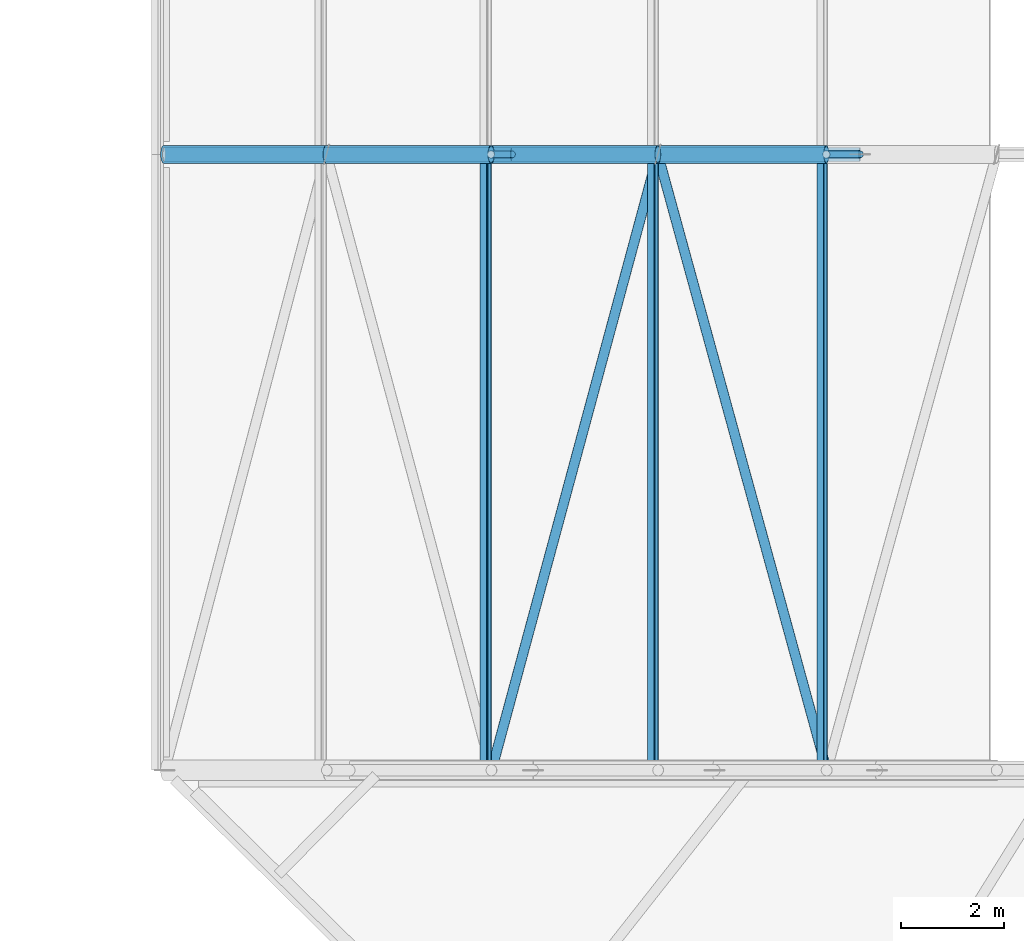
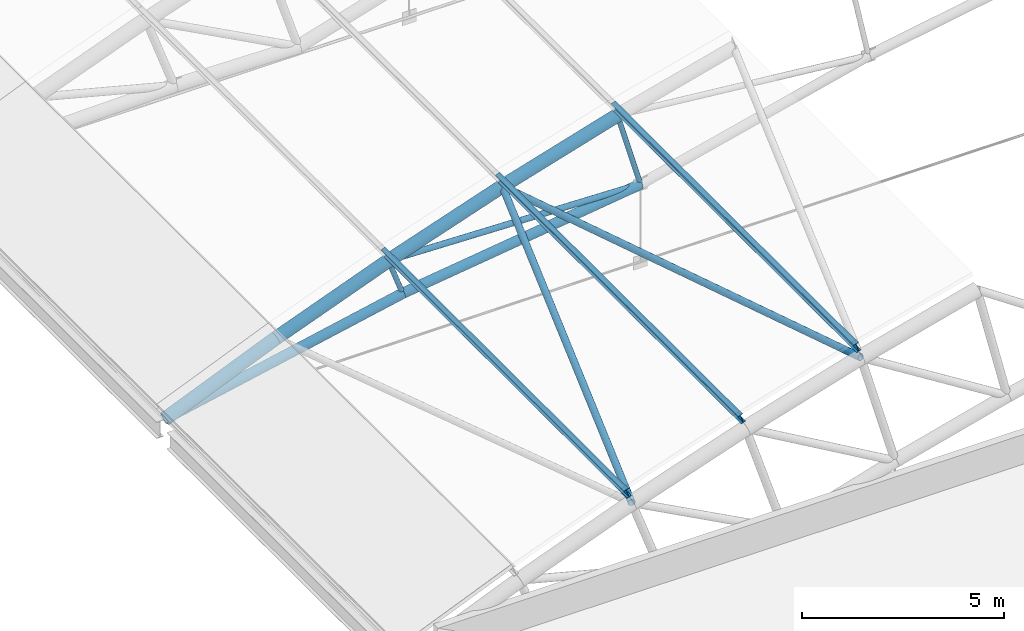
# One storey, part 15 of 321: 14 members.
"""IFC4 building model written with IfcOpenShell, lengths in metres."""

import ifcopenshell
import ifcopenshell.guid

model = None  # the IFC model being written
_history = None  # IfcOwnerHistory: only IFC2X3 demands one
_inside = {}  # id of a spatial element -> (the spatial element, [elements in it])
_under = {}  # id of a project, library or spatial element -> (it, [spatial elements below it])
_declared = {}  # id of a project -> (the project, [libraries it declares])
_typed = {}  # id of a type object -> (the type object, [elements of that type])
_made_of = {}  # id of a material, layer set ... -> (it, [elements and type objects made of it])


def new_model(schema):
    """Start an empty IFC model of exactly this schema.

    Asked for "IFC4X3", IfcOpenShell would pick the latest addendum, in which some entities
    have other attributes; the version numbers below select the first issue.
    IFC2X3 requires an IfcOwnerHistory on every rooted entity: one is made here for all.
    """
    global model, _history
    if schema == "IFC4X3":
        model = ifcopenshell.file(schema_version=(4, 3, 0, 0))
    else:
        model = ifcopenshell.file(schema=schema)
    _inside.clear()
    _under.clear()
    _declared.clear()
    _typed.clear()
    _made_of.clear()
    _history = None
    if model.schema == "IFC2X3":
        org = make("IfcOrganization", Name="unknown")
        user = make(
            "IfcPersonAndOrganization",
            ThePerson=make("IfcPerson", FamilyName="unknown"),
            TheOrganization=org,
        )
        app = make(
            "IfcApplication",
            ApplicationDeveloper=org,
            Version="unknown",
            ApplicationFullName="unknown",
            ApplicationIdentifier="unknown",
        )
        _history = make(
            "IfcOwnerHistory",
            OwningUser=user,
            OwningApplication=app,
            ChangeAction="ADDED",
            CreationDate=0,
        )
    return model


def make(cls, **values):
    """One entity of the class cls with the attributes given. An attribute that is None is left unset."""
    return model.create_entity(
        cls, **{name: value for name, value in values.items() if value is not None}
    )


def rooted(cls, **values):
    """An entity with a GlobalId (a new one), such as an element, a storey or a relation."""
    return make(cls, GlobalId=ifcopenshell.guid.new(), OwnerHistory=_history, **values)


def si_unit(unit_type, name, prefix=None):
    """IfcSIUnit, for example si_unit("LENGTHUNIT", "METRE", prefix="MILLI")."""
    return make("IfcSIUnit", UnitType=unit_type, Prefix=prefix, Name=name)


def assignment(units):
    """IfcUnitAssignment: the units of a project."""
    return None if units is None else make("IfcUnitAssignment", Units=units)


def point(xyz):
    """IfcCartesianPoint."""
    return None if xyz is None else make("IfcCartesianPoint", Coordinates=xyz)


def direction(xyz):
    """IfcDirection."""
    return None if xyz is None else make("IfcDirection", DirectionRatios=xyz)


def frame(location, z_axis=None, x_axis=None):
    """IfcAxis2Placement3D, a coordinate frame: its origin and axes. An axis left out is left unset."""
    return make(
        "IfcAxis2Placement3D",
        Location=point(location),
        Axis=direction(z_axis),
        RefDirection=direction(x_axis),
    )


def frame_2d(location, x_axis=None):
    """IfcAxis2Placement2D, a coordinate frame in the plane: its origin and x axis."""
    return make(
        "IfcAxis2Placement2D", Location=point(location), RefDirection=direction(x_axis)
    )


def origin():
    """The frame at (0, 0, 0) with its axes left unset."""
    return frame((0.0, 0.0, 0.0))


def origin_2d():
    """The frame at (0, 0) in the plane with its x axis left unset."""
    return frame_2d((0.0, 0.0))


def place(relative_to, where):
    """IfcLocalPlacement: puts the frame where relative to a parent placement (None: the world)."""
    return make(
        "IfcLocalPlacement", PlacementRelTo=relative_to, RelativePlacement=where
    )


def context(
    kind, dimensions, precision=None, world=None, true_north=None, identifier=None
):
    """IfcGeometricRepresentationContext, for example the 3D "Model" context."""
    return make(
        "IfcGeometricRepresentationContext",
        ContextIdentifier=identifier,
        ContextType=kind,
        CoordinateSpaceDimension=dimensions,
        Precision=precision,
        WorldCoordinateSystem=world,
        TrueNorth=true_north,
    )


def subcontext(parent, identifier, kind, view, scale=None):
    """IfcGeometricRepresentationSubContext, for example "Body" below "Model"."""
    return make(
        "IfcGeometricRepresentationSubContext",
        ContextIdentifier=identifier,
        ContextType=kind,
        ParentContext=parent,
        TargetScale=scale,
        TargetView=view,
    )


def project(units=None, contexts=None):
    """IfcProject with its units and contexts."""
    return rooted(
        "IfcProject",
        Name="project",
        RepresentationContexts=contexts,
        UnitsInContext=assignment(units),
    )


def spatial(cls, under=None, at=None, **own):
    """A site, building, storey or space (cls), placed at a placement, below another one or the project."""
    s = rooted(cls, ObjectPlacement=at, **own)
    if under is not None:
        _under.setdefault(under.id(), (under, []))[1].append(s)
    return s


def profile(cls, at=None, kind="AREA", **sizes):
    """A parametric profile (cls). Its sizes go by their IFC names, for example OverallWidth=200.0."""
    return make(cls, ProfileType=kind, Position=at, **sizes)


def hollow_circle(**sizes):
    """IfcCircleHollowProfileDef."""
    return profile("IfcCircleHollowProfileDef", **sizes)


def i_section(**sizes):
    """IfcIShapeProfileDef."""
    return profile("IfcIShapeProfileDef", **sizes)


def extrude(swept, where, along, depth):
    """IfcExtrudedAreaSolid: the profile swept, set in the frame where, extruded along a direction by depth."""
    return make(
        "IfcExtrudedAreaSolid",
        SweptArea=swept,
        Position=where,
        ExtrudedDirection=direction(along),
        Depth=depth,
    )


def shape(context_of_items, identifier, shape_type, items):
    """IfcShapeRepresentation: the items that make up one representation, for example the "Body"."""
    return make(
        "IfcShapeRepresentation",
        ContextOfItems=context_of_items,
        RepresentationIdentifier=identifier,
        RepresentationType=shape_type,
        Items=items,
    )


def material(Name=None, Category=None):
    """IfcMaterial."""
    return make("IfcMaterial", Name=Name, Category=Category)


def material_profile(
    of_material, cross_section, Name=None, Category=None, Priority=None
):
    """IfcMaterialProfile: a cross section and its material."""
    return make(
        "IfcMaterialProfile",
        Name=Name,
        Material=of_material,
        Profile=cross_section,
        Priority=Priority,
        Category=Category,
    )


def profile_set(profiles, Name=None, composite=None):
    """IfcMaterialProfileSet."""
    return make(
        "IfcMaterialProfileSet",
        Name=Name,
        MaterialProfiles=profiles,
        CompositeProfile=composite,
    )


def made_of(thing, what):
    """Note that an element or type object is made of a material, layer set ...; save() writes the relation."""
    if what is not None:
        _made_of.setdefault(what.id(), (what, []))[1].append(thing)
    return thing


def type_object(cls, material=None, **own):
    """A type object (cls), such as IfcWallType, which elements share."""
    return made_of(rooted(cls, **own), material)


def element(
    cls,
    number,
    at=None,
    inside=None,
    cuts=None,
    type_object=None,
    material=None,
    context=None,
    identifier="Body",
    shape_type=None,
    held_by="IfcProductDefinitionShape",
    body=None,
    shapes=None,
    **own,
):
    """One element of the class cls, such as IfcWall. Its Tag is "e" and its number.

    at: its placement. inside: the storey or other place that contains it. cuts: it is an
    opening in that element (IfcRelVoidsElement). A single representation is given by context,
    identifier, shape_type and body (its items); several are given by shapes. held_by: the class
    of the entity that holds the representations. save() writes the other relations.
    """
    e = rooted(cls, Tag="e%d" % number, ObjectPlacement=at, **own)
    if body is not None:
        shapes = [shape(context, identifier, shape_type, body)]
    if shapes is not None:
        e.Representation = make(held_by, Representations=shapes)
    if inside is not None:
        _inside.setdefault(inside.id(), (inside, []))[1].append(e)
    if cuts is not None:
        rooted(
            "IfcRelVoidsElement", RelatingBuildingElement=cuts, RelatedOpeningElement=e
        )
    if type_object is not None:
        _typed.setdefault(type_object.id(), (type_object, []))[1].append(e)
    return made_of(e, material)


def aggregate(whole, parts):
    """IfcRelAggregates: a whole, such as a stair, and the parts it consists of."""
    return rooted("IfcRelAggregates", RelatingObject=whole, RelatedObjects=parts)


def save(model, path):
    """Write the relations noted so far, then the file.

    IfcRelAggregates (storeys below a building ...), IfcRelContainedInSpatialStructure (elements
    in a storey), IfcRelDefinesByType, IfcRelAssociatesMaterial and IfcRelDeclares: one each for
    every whole, place, type object, material and project.
    """
    for whole, parts in _under.values():
        aggregate(whole, parts)
    for where, things in _inside.values():
        rooted(
            "IfcRelContainedInSpatialStructure",
            RelatedElements=things,
            RelatingStructure=where,
        )
    for kind, things in _typed.values():
        rooted("IfcRelDefinesByType", RelatedObjects=things, RelatingType=kind)
    for what, things in _made_of.values():
        rooted("IfcRelAssociatesMaterial", RelatedObjects=things, RelatingMaterial=what)
    for by, libraries in _declared.values():
        rooted("IfcRelDeclares", RelatingContext=by, RelatedDefinitions=libraries)
    model.write(path)


model = new_model("IFC4")

# Units and contexts
model_context = context("Model", 3, precision=1e-05, world=origin(), true_north=direction((0.0, 1.0)))
body_context = subcontext(model_context, "Body", "Model", "MODEL_VIEW")
ifc_project = project(units=[si_unit("LENGTHUNIT", "METRE"), si_unit("AREAUNIT", "SQUARE_METRE"), si_unit("VOLUMEUNIT", "CUBIC_METRE"), si_unit("PLANEANGLEUNIT", "RADIAN"), si_unit("MASSUNIT", "GRAM", prefix="KILO")], contexts=[model_context])

# Site, building, storey
site_placement = place(None, origin())
site = spatial("IfcSite", under=ifc_project, at=site_placement, CompositionType="ELEMENT")
building_placement = place(site_placement, origin())
building = spatial("IfcBuilding", under=site, at=building_placement, Name="Ravi Spectrum Wholesale Market", CompositionType="ELEMENT")
storey_placement = place(building_placement, frame((0.0, 0.0, 10.800048828125)))
storey = spatial("IfcBuildingStorey", under=building, at=storey_placement, Name="L02", CompositionType="ELEMENT", Elevation=10.800048828125)

# Members
ifc_material_1 = material(Name="Steel S355", Category="steel")
ifc_material_profile_1 = material_profile(ifc_material_1, hollow_circle(Radius=0.06982421875, WallThickness=0.0048828125, at=origin_2d()))
ifc_profile_set_1 = profile_set([ifc_material_profile_1], Name="Steel S355")
member_type_1 = type_object("IfcMemberType", Name="CHS 139.7x5 post", PredefinedType="POST", material=ifc_profile_set_1)
member_1_placement = place(storey_placement, frame((36.363037109375, 42.0, 2.56494140625), z_axis=(0.338114270461, 0.0, -0.941105063269), x_axis=(0.0, 1.0, 0.0)))
element("IfcMember", 1, at=member_1_placement, inside=storey, type_object=member_type_1, Name="H1-MB-L02-136", PredefinedType="POST", context=body_context, shape_type="SweptSolid", body=[
    extrude(hollow_circle(Radius=0.06982421875, WallThickness=0.0048828125, at=origin_2d()), origin(), (0.0, 0.0, 1.0), 1.199951171875),
])
member_2_placement = place(storey_placement, frame((42.896240234375, 42.0, 4.661376953125), z_axis=(0.272503703517, 0.0, -0.962154733694), x_axis=(0.0, 1.0, 0.0)))
element("IfcMember", 2, at=member_2_placement, inside=storey, type_object=member_type_1, Name="H1-MB-L02-137", PredefinedType="POST", context=body_context, shape_type="SweptSolid", body=[
    extrude(hollow_circle(Radius=0.06982421875, WallThickness=0.0048828125, at=origin_2d()), origin(), (0.0, 0.0, 1.0), 2.400146484375),
])
ifc_material_2 = material(Name="Steel S355", Category="steel")
ifc_material_profile_2 = material_profile(ifc_material_2, hollow_circle(Radius=0.084228515625, WallThickness=0.00634765625, at=origin_2d()))
ifc_profile_set_2 = profile_set([ifc_material_profile_2], Name="Steel S355")
member_type_2 = type_object("IfcMemberType", Name="CHS 168.3x6.3 brace", PredefinedType="BRACE", material=ifc_profile_set_2)
member_3_placement = place(storey_placement, frame((36.363037109375, 42.0, 2.56494140625), z_axis=(0.999561599338, 0.0, -0.029607585673), x_axis=(0.0, 1.0, 0.0)))
element("IfcMember", 3, at=member_3_placement, inside=storey, type_object=member_type_2, Name="H1-MB-L02-147", PredefinedType="BRACE", context=body_context, shape_type="SweptSolid", body=[
    extrude(hollow_circle(Radius=0.084228515625, WallThickness=0.00634765625, at=origin_2d()), origin(), (0.0, 0.0, 1.0), 7.1904296875),
])
ifc_material_3 = material(Name="Steel S355", Category="steel")
ifc_material_profile_3 = material_profile(ifc_material_3, hollow_circle(Radius=0.096923828125, WallThickness=0.00634765625, at=origin_2d()))
ifc_profile_set_3 = profile_set([ifc_material_profile_3], Name="Steel S355")
member_type_3 = type_object("IfcMemberType", Name="CHS 193.7x6.3 brace", PredefinedType="BRACE", material=ifc_profile_set_3)
for number, where, z_axis, x_axis, name in (
    (4, (36.37158203125, 30.0, 2.541015625), (0.259597548591, 0.961475300154, 0.0904121671), (-0.965429280275, 0.260665120006, 0.0), "H1-MB-L02-1586"),
    (5, (39.611572265625, 42.0, 3.66943359375), (0.263726012754, -0.961479081656, 0.077502036978), (0.964379749157, 0.264521642622, 0.0), "H1-MB-L02-1587"),
):
    element("IfcMember", number, at=place(storey_placement, frame(where, z_axis=z_axis, x_axis=x_axis)), inside=storey, type_object=member_type_3, Name=name, PredefinedType="BRACE", context=body_context, shape_type="SweptSolid", body=[
        extrude(hollow_circle(Radius=0.096923828125, WallThickness=0.00634765625, at=origin_2d()), origin(), (0.0, 0.0, 1.0), 12.480712890625),
    ])
ifc_material_4 = material(Name="Steel S355", Category="steel")
ifc_material_profile_4 = material_profile(ifc_material_4, hollow_circle(Radius=0.136474609375, WallThickness=0.010009765625, at=origin_2d()))
ifc_profile_set_4 = profile_set([ifc_material_profile_4], Name="Steel S355")
member_type_4 = type_object("IfcMemberType", Name="CHS 273x10 chord", PredefinedType="CHORD", material=ifc_profile_set_4)
member_4_placement = place(storey_placement, frame((29.98974609375, 42.0, 0.023193359375), z_axis=(0.978978953118, 0.0, 0.203961293758), x_axis=(0.0, 1.0, 0.0)))
element("IfcMember", 6, at=member_4_placement, inside=storey, type_object=member_type_4, Name="H1-MB-L02-124", PredefinedType="CHORD", context=body_context, shape_type="SweptSolid", body=[
    extrude(hollow_circle(Radius=0.136474609375, WallThickness=0.010009765625, at=origin_2d()), origin(), (0.0, 0.0, 1.0), 6.924560546875),
])
member_5_placement = place(storey_placement, frame((36.768798828125, 42.0, 1.435546875), z_axis=(0.990990766788, 0.0, 0.133930206233), x_axis=(0.0, 1.0, 0.0)))
element("IfcMember", 7, at=member_5_placement, inside=storey, type_object=member_type_4, Name="H1-MB-L02-125", PredefinedType="CHORD", context=body_context, shape_type="SweptSolid", body=[
    extrude(hollow_circle(Radius=0.136474609375, WallThickness=0.010009765625, at=origin_2d()), origin(), (0.0, 0.0, 1.0), 6.84326171875),
])
ifc_material_5 = material(Name="Steel S355", Category="steel")
ifc_material_profile_5 = material_profile(ifc_material_5, hollow_circle(Radius=0.177734375, WallThickness=0.012451171875, at=origin_2d()))
ifc_profile_set_5 = profile_set([ifc_material_profile_5], Name="Steel S355")
member_type_5 = type_object("IfcMemberType", Name="CHS 355.6x12.5 chord", PredefinedType="CHORD", material=ifc_profile_set_5)
member_6_placement = place(storey_placement, frame((29.98974609375, 42.0, 0.023193359375), z_axis=(0.922323660423, 0.0, 0.386418251929), x_axis=(0.0, 1.0, 0.0)))
element("IfcMember", 8, at=member_6_placement, inside=storey, type_object=member_type_5, Name="H1-MB-L02-100", PredefinedType="CHORD", context=body_context, shape_type="SweptSolid", body=[
    extrude(hollow_circle(Radius=0.177734375, WallThickness=0.012451171875, at=origin_2d()), origin(), (0.0, 0.0, 1.0), 3.431396484375),
])
for number, where, z_axis, x_axis, name in (
    (9, (33.154541015625, 42.0, 1.34912109375), (0.935113010382, 0.0, 0.354349626518), (0.0, 1.0, 0.0), "H1-MB-L02-101"),
    (10, (36.363037109375, 42.0, 2.56494140625), (0.946773612235, 0.0, 0.321900182005), (0.0, 1.0, 0.0), "H1-MB-L02-102"),
    (11, (39.611572265625, 42.0, 3.66943359375), (0.957299848506, 0.0, 0.289096869666), (0.0, 1.0, 0.0), "H1-MB-L02-103"),
):
    element("IfcMember", number, at=place(storey_placement, frame(where, z_axis=z_axis, x_axis=x_axis)), inside=storey, type_object=member_type_5, Name=name, PredefinedType="CHORD", context=body_context, shape_type="SweptSolid", body=[
        extrude(hollow_circle(Radius=0.177734375, WallThickness=0.012451171875, at=origin_2d()), origin(), (0.0, 0.0, 1.0), 3.43115234375),
    ])
ifc_material_6 = material(Name="Steel S355", Category="steel")
ifc_material_profile_6 = material_profile(ifc_material_6, i_section(OverallWidth=0.135009765625, OverallDepth=0.27001953125, WebThickness=0.006591796875, FlangeThickness=0.01025390625, at=origin_2d()))
ifc_profile_set_6 = profile_set([ifc_material_profile_6], Name="Steel S355")
member_type_6 = type_object("IfcMemberType", Name="IPE 270 purlin", PredefinedType="PURLIN", material=ifc_profile_set_6)
for number, where, z_axis, x_axis, name in (
    (12, (36.25732421875, 30.0, 2.859375), (0.0, 1.0, 0.0), (-0.941079849597, 0.0, -0.338184441811), "H1-MB-L02-1236"),
    (13, (39.515869140625, 30.0, 3.96728515625), (0.0, 1.0, 0.0), (-0.952184497174, 0.0, -0.305523621577), "H1-MB-L02-1237"),
    (14, (42.81103515625, 30.0, 4.962158203125), (0.0, 1.0, 0.0), (-0.96215600485, 0.0, -0.272499215286), "H1-MB-L02-1238"),
):
    element("IfcMember", number, at=place(storey_placement, frame(where, z_axis=z_axis, x_axis=x_axis)), inside=storey, type_object=member_type_6, Name=name, PredefinedType="PURLIN", context=body_context, shape_type="SweptSolid", body=[
        extrude(i_section(OverallWidth=0.135009765625, OverallDepth=0.27001953125, WebThickness=0.006591796875, FlangeThickness=0.01025390625, at=origin_2d()), origin(), (0.0, 0.0, 1.0), 12.0),
    ])

save(model, "model.ifc")
